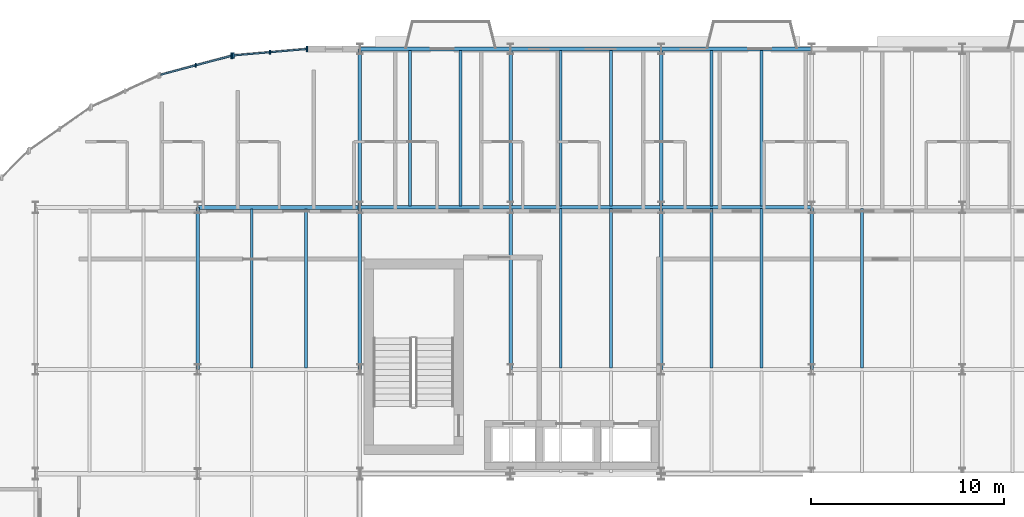
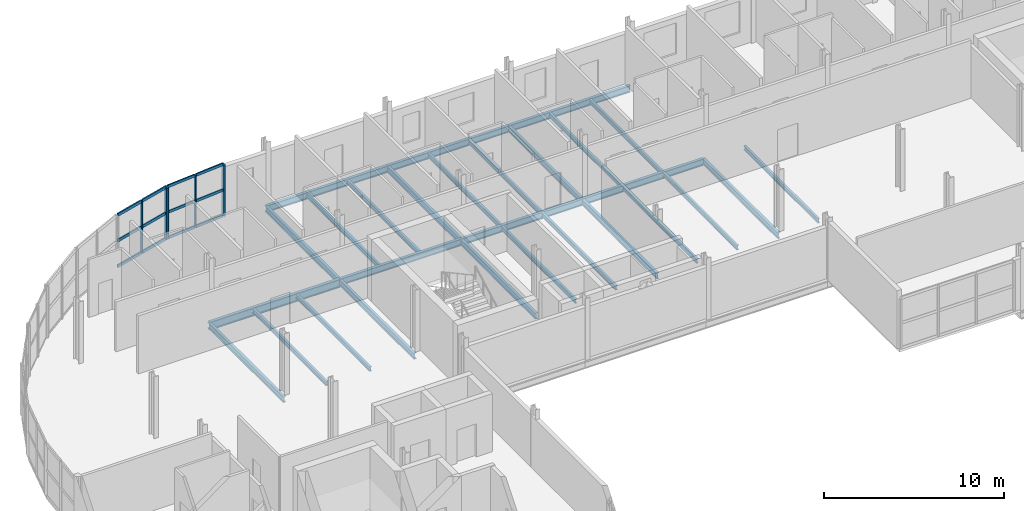
# One storey, part 16 of 45: 28 beams, 17 members, 2 elements without a shape of their own.
"""IFC4 building model written with IfcOpenShell, lengths in metres."""

from ifc_helpers import new_model, si_unit, direction, frame, origin, origin_2d, place, context, subcontext, project, spatial, rectangle, i_section, extrude, material, layer, layer_set, material_profile, profile_set, type_object, element, aggregate, save


model = new_model("IFC4")

# Units and contexts
model_context = context("Model", 3, precision=1e-05, world=origin(), true_north=direction((0.0, 1.0)))
body_context = subcontext(model_context, "Body", "Model", "MODEL_VIEW")
ifc_project = project(units=[si_unit("LENGTHUNIT", "METRE"), si_unit("AREAUNIT", "SQUARE_METRE"), si_unit("VOLUMEUNIT", "CUBIC_METRE"), si_unit("PLANEANGLEUNIT", "RADIAN"), si_unit("MASSUNIT", "GRAM", prefix="KILO")], contexts=[model_context])

# Site, building, storey
site_placement = place(None, origin())
site = spatial("IfcSite", under=ifc_project, at=site_placement, CompositionType="ELEMENT")
building_placement = place(site_placement, origin())
building = spatial("IfcBuilding", under=site, at=building_placement, Name="Sefraquen Railside Congress Hotel", CompositionType="ELEMENT")
storey_placement = place(building_placement, frame((0.0, 0.0, 20.39990234375)))
storey = spatial("IfcBuildingStorey", under=building, at=storey_placement, Name="L04", CompositionType="ELEMENT", Elevation=20.39990234375)

# Beams
ifc_material_1 = material(Name="Steel S355JR", Category="steel")
ifc_material_profile_1 = material_profile(ifc_material_1, i_section(OverallWidth=0.179931640625, OverallDepth=0.39990234375, WebThickness=0.008544921875, FlangeThickness=0.013427734375, FilletRadius=0.02099609375, at=origin_2d()), Name="IPE 400")
ifc_profile_set_1 = profile_set([ifc_material_profile_1], Name="Steel S355JR")
beam_type_1 = type_object("IfcBeamType", Name="TB-BM-400I", PredefinedType="BEAM", material=ifc_profile_set_1)
for number, where, z_axis, x_axis, name in (
    (1, (16.800048828125, 101.39990234375, -0.47998046875), (0.0, 1.0, 0.0), (-1.0, 0.0, 0.0), "Floor beam BM-L04-1355"),
    (2, (25.199951171875, 101.39990234375, -0.47998046875), (0.0, 1.0, 0.0), (-1.0, 0.0, 0.0), "Floor beam BM-L04-1361"),
):
    element("IfcBeam", number, at=place(storey_placement, frame(where, z_axis=z_axis, x_axis=x_axis)), inside=storey, type_object=beam_type_1, Name=name, PredefinedType="BEAM", context=body_context, shape_type="SweptSolid", body=[
        extrude(i_section(OverallWidth=0.179931640625, OverallDepth=0.39990234375, WebThickness=0.008544921875, FlangeThickness=0.013427734375, FilletRadius=0.02099609375, at=origin_2d()), origin(), (0.0, 0.0, 1.0), 8.400146484375),
    ])
beam_1_placement = place(storey_placement, frame((25.199951171875, 109.800048828125, -0.47998046875), z_axis=(0.0, 1.0, 0.0), x_axis=(-1.0, 0.0, 0.0)))
element("IfcBeam", 3, at=beam_1_placement, inside=storey, type_object=beam_type_1, Name="Floor beam BM-L04-1362", PredefinedType="BEAM", context=body_context, shape_type="SweptSolid", body=[
    extrude(i_section(OverallWidth=0.179931640625, OverallDepth=0.39990234375, WebThickness=0.008544921875, FlangeThickness=0.013427734375, FilletRadius=0.02099609375, at=origin_2d()), origin(), (0.0, 0.0, 1.0), 8.199951171875),
])
beam_2_placement = place(storey_placement, frame((33.0, 101.39990234375, -0.47998046875), z_axis=(0.0, 1.0, 0.0), x_axis=(-1.0, 0.0, 0.0)))
element("IfcBeam", 4, at=beam_2_placement, inside=storey, type_object=beam_type_1, Name="Floor beam BM-L04-1364", PredefinedType="BEAM", context=body_context, shape_type="SweptSolid", body=[
    extrude(i_section(OverallWidth=0.179931640625, OverallDepth=0.39990234375, WebThickness=0.008544921875, FlangeThickness=0.013427734375, FilletRadius=0.02099609375, at=origin_2d()), origin(), (0.0, 0.0, 1.0), 8.400146484375),
])
beam_3_placement = place(storey_placement, frame((33.0, 109.800048828125, -0.47998046875), z_axis=(0.0, 1.0, 0.0), x_axis=(-1.0, 0.0, 0.0)))
element("IfcBeam", 5, at=beam_3_placement, inside=storey, type_object=beam_type_1, Name="Floor beam BM-L04-1365", PredefinedType="BEAM", context=body_context, shape_type="SweptSolid", body=[
    extrude(i_section(OverallWidth=0.179931640625, OverallDepth=0.39990234375, WebThickness=0.008544921875, FlangeThickness=0.013427734375, FilletRadius=0.02099609375, at=origin_2d()), origin(), (0.0, 0.0, 1.0), 8.199951171875),
])
beam_4_placement = place(storey_placement, frame((40.800048828125, 101.39990234375, -0.47998046875), z_axis=(0.0, 1.0, 0.0), x_axis=(-1.0, 0.0, 0.0)))
element("IfcBeam", 6, at=beam_4_placement, inside=storey, type_object=beam_type_1, Name="Floor beam BM-L04-1367", PredefinedType="BEAM", context=body_context, shape_type="SweptSolid", body=[
    extrude(i_section(OverallWidth=0.179931640625, OverallDepth=0.39990234375, WebThickness=0.008544921875, FlangeThickness=0.013427734375, FilletRadius=0.02099609375, at=origin_2d()), origin(), (0.0, 0.0, 1.0), 8.400146484375),
])
beam_5_placement = place(storey_placement, frame((40.800048828125, 109.800048828125, -0.47998046875), z_axis=(0.0, 1.0, 0.0), x_axis=(-1.0, 0.0, 0.0)))
element("IfcBeam", 7, at=beam_5_placement, inside=storey, type_object=beam_type_1, Name="Floor beam BM-L04-1368", PredefinedType="BEAM", context=body_context, shape_type="SweptSolid", body=[
    extrude(i_section(OverallWidth=0.179931640625, OverallDepth=0.39990234375, WebThickness=0.008544921875, FlangeThickness=0.013427734375, FilletRadius=0.02099609375, at=origin_2d()), origin(), (0.0, 0.0, 1.0), 8.199951171875),
])
beam_6_placement = place(storey_placement, frame((48.60009765625, 101.39990234375, -0.47998046875), z_axis=(0.0, 1.0, 0.0), x_axis=(-1.0, 0.0, 0.0)))
element("IfcBeam", 8, at=beam_6_placement, inside=storey, type_object=beam_type_1, Name="Floor beam BM-L04-1370", PredefinedType="BEAM", context=body_context, shape_type="SweptSolid", body=[
    extrude(i_section(OverallWidth=0.179931640625, OverallDepth=0.39990234375, WebThickness=0.008544921875, FlangeThickness=0.013427734375, FilletRadius=0.02099609375, at=origin_2d()), origin(), (0.0, 0.0, 1.0), 8.400146484375),
])
ifc_material_profile_2 = material_profile(ifc_material_1, i_section(OverallWidth=0.18994140625, OverallDepth=0.449951171875, WebThickness=0.009521484375, FlangeThickness=0.0146484375, FilletRadius=0.02099609375, at=origin_2d()), Name="IPE 450")
ifc_profile_set_2 = profile_set([ifc_material_profile_2], Name="Steel S355JR")
beam_type_2 = type_object("IfcBeamType", Name="TB-BM-450", PredefinedType="BEAM", material=ifc_profile_set_2)
for number, where, z_axis, x_axis, name in (
    (9, (25.199951171875, 109.800048828125, -0.5048828125), (1.0, 0.0, 0.0), (0.0, 1.0, 0.0), "Primary girder BM-L04-1317"),
    (10, (33.0, 109.800048828125, -0.5048828125), (1.0, 0.0, 0.0), (0.0, 1.0, 0.0), "Primary girder BM-L04-1318"),
    (11, (40.800048828125, 109.800048828125, -0.5048828125), (1.0, 0.0, 0.0), (0.0, 1.0, 0.0), "Primary girder BM-L04-1319"),
    (12, (25.199951171875, 118.0, -0.5048828125), (1.0, 0.0, 0.0), (0.0, 1.0, 0.0), "Primary girder BM-L04-1329"),
    (13, (33.0, 118.0, -0.5048828125), (1.0, 0.0, 0.0), (0.0, 1.0, 0.0), "Primary girder BM-L04-1330"),
    (14, (40.800048828125, 118.0, -0.5048828125), (1.0, 0.0, 0.0), (0.0, 1.0, 0.0), "Primary girder BM-L04-1331"),
):
    element("IfcBeam", number, at=place(storey_placement, frame(where, z_axis=z_axis, x_axis=x_axis)), inside=storey, type_object=beam_type_2, Name=name, PredefinedType="BEAM", context=body_context, shape_type="SweptSolid", body=[
        extrude(i_section(OverallWidth=0.18994140625, OverallDepth=0.449951171875, WebThickness=0.009521484375, FlangeThickness=0.0146484375, FilletRadius=0.02099609375, at=origin_2d()), origin(), (0.0, 0.0, 1.0), 7.800048828125),
    ])
ifc_material_profile_3 = material_profile(ifc_material_1, i_section(OverallWidth=0.2099609375, OverallDepth=0.550048828125, WebThickness=0.010986328125, FlangeThickness=0.01708984375, FilletRadius=0.02392578125, at=origin_2d()), Name="IPE 550")
ifc_profile_set_3 = profile_set([ifc_material_profile_3], Name="Steel S355JR")
beam_type_3 = type_object("IfcBeamType", Name="TB-GIR-550", PredefinedType="T_BEAM", material=ifc_profile_set_3)
beam_7_placement = place(storey_placement, frame((16.800048828125, 109.800048828125, -0.554931640625), z_axis=(1.0, 0.0, 0.0), x_axis=(0.0, 1.0, 0.0)))
element("IfcBeam", 15, at=beam_7_placement, inside=storey, type_object=beam_type_3, Name="Primary girder BM-L04-1316", PredefinedType="T_BEAM", context=body_context, shape_type="SweptSolid", body=[
    extrude(i_section(OverallWidth=0.2099609375, OverallDepth=0.550048828125, WebThickness=0.010986328125, FlangeThickness=0.01708984375, FilletRadius=0.02392578125, at=origin_2d()), origin(), (0.0, 0.0, 1.0), 8.39990234375),
])
ifc_material_profile_4 = material_profile(ifc_material_1, i_section(OverallWidth=0.14990234375, OverallDepth=0.300048828125, WebThickness=0.007080078125, FlangeThickness=0.0107421875, FilletRadius=0.014892578125, at=origin_2d()), Name="IPE 300")
ifc_profile_set_4 = profile_set([ifc_material_profile_4], Name="Steel S355JR")
beam_type_4 = type_object("IfcBeamType", Name="TB-JST-300", PredefinedType="JOIST", material=ifc_profile_set_4)
for number, where, z_axis, x_axis, name in (
    (16, (19.60009765625, 101.485107421875, -0.429931640625), (0.0, 1.0, 0.0), (-1.0, 0.0, 0.0), "Composite floor joist BM-L04-J0846"),
    (17, (22.39990234375, 101.485107421875, -0.429931640625), (0.0, 1.0, 0.0), (-1.0, 0.0, 0.0), "Composite floor joist BM-L04-J0847"),
):
    element("IfcBeam", number, at=place(storey_placement, frame(where, z_axis=z_axis, x_axis=x_axis)), inside=storey, type_object=beam_type_4, Name=name, PredefinedType="JOIST", context=body_context, shape_type="SweptSolid", body=[
        extrude(i_section(OverallWidth=0.14990234375, OverallDepth=0.300048828125, WebThickness=0.007080078125, FlangeThickness=0.0107421875, FilletRadius=0.014892578125, at=origin_2d()), origin(), (0.0, 0.0, 1.0), 8.22998046875),
    ])
for number, where, z_axis, x_axis, name in (
    (18, (27.800048828125, 109.875, -0.429931640625), (0.0, 1.0, 0.0), (-1.0, 0.0, 0.0), "Composite floor joist BM-L04-J0848"),
    (19, (30.39990234375, 109.875, -0.429931640625), (0.0, 1.0, 0.0), (-1.0, 0.0, 0.0), "Composite floor joist BM-L04-J0849"),
):
    element("IfcBeam", number, at=place(storey_placement, frame(where, z_axis=z_axis, x_axis=x_axis)), inside=storey, type_object=beam_type_4, Name=name, PredefinedType="JOIST", context=body_context, shape_type="SweptSolid", body=[
        extrude(i_section(OverallWidth=0.14990234375, OverallDepth=0.300048828125, WebThickness=0.007080078125, FlangeThickness=0.0107421875, FilletRadius=0.014892578125, at=origin_2d()), origin(), (0.0, 0.0, 1.0), 8.050048828125),
    ])
for number, where, z_axis, x_axis, name in (
    (20, (35.60009765625, 101.47509765625, -0.429931640625), (0.0, 1.0, 0.0), (-1.0, 0.0, 0.0), "Composite floor joist BM-L04-J0852"),
    (21, (38.199951171875, 101.47509765625, -0.429931640625), (0.0, 1.0, 0.0), (-1.0, 0.0, 0.0), "Composite floor joist BM-L04-J0853"),
):
    element("IfcBeam", number, at=place(storey_placement, frame(where, z_axis=z_axis, x_axis=x_axis)), inside=storey, type_object=beam_type_4, Name=name, PredefinedType="JOIST", context=body_context, shape_type="SweptSolid", body=[
        extrude(i_section(OverallWidth=0.14990234375, OverallDepth=0.300048828125, WebThickness=0.007080078125, FlangeThickness=0.0107421875, FilletRadius=0.014892578125, at=origin_2d()), origin(), (0.0, 0.0, 1.0), 8.25),
    ])
for number, where, z_axis, x_axis, name in (
    (22, (35.60009765625, 109.875, -0.429931640625), (0.0, 1.0, 0.0), (-1.0, 0.0, 0.0), "Composite floor joist BM-L04-J0854"),
    (23, (38.199951171875, 109.875, -0.429931640625), (0.0, 1.0, 0.0), (-1.0, 0.0, 0.0), "Composite floor joist BM-L04-J0855"),
):
    element("IfcBeam", number, at=place(storey_placement, frame(where, z_axis=z_axis, x_axis=x_axis)), inside=storey, type_object=beam_type_4, Name=name, PredefinedType="JOIST", context=body_context, shape_type="SweptSolid", body=[
        extrude(i_section(OverallWidth=0.14990234375, OverallDepth=0.300048828125, WebThickness=0.007080078125, FlangeThickness=0.0107421875, FilletRadius=0.014892578125, at=origin_2d()), origin(), (0.0, 0.0, 1.0), 8.050048828125),
    ])
for number, where, z_axis, x_axis, name in (
    (24, (43.39990234375, 101.47509765625, -0.429931640625), (0.0, 1.0, 0.0), (-1.0, 0.0, 0.0), "Composite floor joist BM-L04-J0858"),
    (25, (46.0, 101.47509765625, -0.429931640625), (0.0, 1.0, 0.0), (-1.0, 0.0, 0.0), "Composite floor joist BM-L04-J0859"),
):
    element("IfcBeam", number, at=place(storey_placement, frame(where, z_axis=z_axis, x_axis=x_axis)), inside=storey, type_object=beam_type_4, Name=name, PredefinedType="JOIST", context=body_context, shape_type="SweptSolid", body=[
        extrude(i_section(OverallWidth=0.14990234375, OverallDepth=0.300048828125, WebThickness=0.007080078125, FlangeThickness=0.0107421875, FilletRadius=0.014892578125, at=origin_2d()), origin(), (0.0, 0.0, 1.0), 8.25),
    ])
for number, where, z_axis, x_axis, name in (
    (26, (43.39990234375, 109.875, -0.429931640625), (0.0, 1.0, 0.0), (-1.0, 0.0, 0.0), "Composite floor joist BM-L04-J0860"),
    (27, (46.0, 109.875, -0.429931640625), (0.0, 1.0, 0.0), (-1.0, 0.0, 0.0), "Composite floor joist BM-L04-J0861"),
):
    element("IfcBeam", number, at=place(storey_placement, frame(where, z_axis=z_axis, x_axis=x_axis)), inside=storey, type_object=beam_type_4, Name=name, PredefinedType="JOIST", context=body_context, shape_type="SweptSolid", body=[
        extrude(i_section(OverallWidth=0.14990234375, OverallDepth=0.300048828125, WebThickness=0.007080078125, FlangeThickness=0.0107421875, FilletRadius=0.014892578125, at=origin_2d()), origin(), (0.0, 0.0, 1.0), 8.050048828125),
    ])
beam_8_placement = place(storey_placement, frame((51.199951171875, 101.47509765625, -0.429931640625), z_axis=(0.0, 1.0, 0.0), x_axis=(-1.0, 0.0, 0.0)))
element("IfcBeam", 28, at=beam_8_placement, inside=storey, type_object=beam_type_4, Name="Composite floor joist BM-L04-J0864", PredefinedType="JOIST", context=body_context, shape_type="SweptSolid", body=[
    extrude(i_section(OverallWidth=0.14990234375, OverallDepth=0.300048828125, WebThickness=0.007080078125, FlangeThickness=0.0107421875, FilletRadius=0.014892578125, at=origin_2d()), origin(), (0.0, 0.0, 1.0), 8.25),
])

# Curtain wall, member
ifc_material_2 = material(Name="Thermally broken anodised aluminium and low-E double glazing", Category="aluminium")
ifc_layer_1 = layer(ifc_material_2, 0.199951171875)
ifc_layer_set_1 = layer_set([ifc_layer_1], Name="Thermally broken anodised aluminium and low-E double glazing")
curtain_wall_type_1 = type_object("IfcCurtainWallType", Name="TCW-UCW-05", PredefinedType="USERDEFINED", material=ifc_layer_set_1)
curtain_wall_1_placement = place(storey_placement, origin())
curtain_wall_1 = element("IfcCurtainWall", 29, at=curtain_wall_1_placement, inside=storey, type_object=curtain_wall_type_1, Name="Rotunda L04 curved curtain wall facet 1", ObjectType="UNITISED CURTAIN WALL", PredefinedType="USERDEFINED")
ifc_material_3 = material(Name="Thermally broken anodised aluminium 6063-T6", Category="aluminium")
ifc_material_profile_5 = material_profile(ifc_material_3, rectangle(XDim=0.070068359375, YDim=0.199951171875, at=origin_2d()), Name="CWM 70x200")
ifc_profile_set_5 = profile_set([ifc_material_profile_5], Name="Thermally broken anodised aluminium 6063-T6")
member_type_1 = type_object("IfcMemberType", Name="TM-CWM-03", PredefinedType="MULLION", material=ifc_profile_set_5)
member_1_placement = place(storey_placement, frame((20.54638671875, 117.8291015625, 0.0), z_axis=(0.0, 0.0, 1.0), x_axis=(1.0, 0.0, 0.0)))
member_1 = element("IfcMember", 30, at=member_1_placement, type_object=member_type_1, Name="CW-L04-ROT-01 mullion 2", PredefinedType="MULLION", context=body_context, shape_type="SweptSolid", body=[
    extrude(rectangle(XDim=0.070068359375, YDim=0.199951171875, at=origin_2d()), origin(), (0.0, 0.0, 1.0), 3.489990234375),
])

ifc_layer_2 = layer(ifc_material_2, 0.199951171875)
ifc_layer_set_2 = layer_set([ifc_layer_2], Name="Thermally broken anodised aluminium and low-E double glazing")
curtain_wall_type_2 = type_object("IfcCurtainWallType", Name="TCW-UCW-06", PredefinedType="USERDEFINED", material=ifc_layer_set_2)
curtain_wall_2_placement = place(storey_placement, origin())
curtain_wall_2 = element("IfcCurtainWall", 31, at=curtain_wall_2_placement, inside=storey, type_object=curtain_wall_type_2, Name="Rotunda L04 curved curtain wall facet 2", ObjectType="UNITISED CURTAIN WALL", PredefinedType="USERDEFINED")
ifc_material_profile_6 = material_profile(ifc_material_3, rectangle(XDim=0.074951171875, YDim=0.219970703125, at=origin_2d()), Name="CWM 75x220")
ifc_profile_set_6 = profile_set([ifc_material_profile_6], Name="Thermally broken anodised aluminium 6063-T6")
member_type_2 = type_object("IfcMemberType", Name="TM-CWM-04", PredefinedType="MULLION", material=ifc_profile_set_6)
member_2_placement = place(storey_placement, frame((16.69873046875, 117.150634765625, 0.0), z_axis=(0.0, 0.0, 1.0), x_axis=(1.0, 0.0, 0.0)))
member_2 = element("IfcMember", 32, at=member_2_placement, type_object=member_type_2, Name="CW-L04-ROT-02 mullion 2", PredefinedType="MULLION", context=body_context, shape_type="SweptSolid", body=[
    extrude(rectangle(XDim=0.074951171875, YDim=0.219970703125, at=origin_2d()), origin(), (0.0, 0.0, 1.0), 3.489990234375),
])

# Member
ifc_material_profile_7 = material_profile(ifc_material_3, rectangle(XDim=0.094970703125, YDim=0.300048828125, at=origin_2d()), Name="CWM 95x300")
ifc_profile_set_7 = profile_set([ifc_material_profile_7], Name="Thermally broken anodised aluminium 6063-T6")
member_type_3 = type_object("IfcMemberType", Name="TM-CWM-08", PredefinedType="MULLION", material=ifc_profile_set_7)
member_3_placement = place(storey_placement, frame((22.460205078125, 117.99658203125, 0.0), z_axis=(0.0, 0.0, 1.0), x_axis=(1.0, 0.0, 0.0)))
member_3 = element("IfcMember", 33, at=member_3_placement, type_object=member_type_3, Name="CW-L04-ROT-01 mullion 1", PredefinedType="MULLION", context=body_context, shape_type="SweptSolid", body=[
    extrude(rectangle(XDim=0.094970703125, YDim=0.300048828125, at=origin_2d()), origin(), (0.0, 0.0, 1.0), 3.489990234375),
])

member_4_placement = place(storey_placement, frame((18.6328125, 117.66162109375, 0.0), z_axis=(0.0, 0.0, 1.0), x_axis=(1.0, 0.0, 0.0)))
member_4 = element("IfcMember", 34, at=member_4_placement, type_object=member_type_3, Name="CW-L04-ROT-01 mullion 3", PredefinedType="MULLION", context=body_context, shape_type="SweptSolid", body=[
    extrude(rectangle(XDim=0.094970703125, YDim=0.300048828125, at=origin_2d()), origin(), (0.0, 0.0, 1.0), 3.489990234375),
])

member_5_placement = place(storey_placement, frame((18.55419921875, 117.647705078125, 0.0), z_axis=(0.0, 0.0, 1.0), x_axis=(1.0, 0.0, 0.0)))
member_5 = element("IfcMember", 35, at=member_5_placement, type_object=member_type_3, Name="CW-L04-ROT-02 mullion 1", PredefinedType="MULLION", context=body_context, shape_type="SweptSolid", body=[
    extrude(rectangle(XDim=0.094970703125, YDim=0.300048828125, at=origin_2d()), origin(), (0.0, 0.0, 1.0), 3.489990234375),
])

ifc_material_profile_8 = material_profile(ifc_material_3, rectangle(XDim=0.080078125, YDim=0.179931640625, at=origin_2d()), Name="CWT 80x180")
ifc_profile_set_8 = profile_set([ifc_material_profile_8], Name="Thermally broken anodised aluminium 6063-T6")
member_type_4 = type_object("IfcMemberType", Name="TM-CWT-05", PredefinedType="USERDEFINED", material=ifc_profile_set_8)
member_6_placement = place(storey_placement, frame((22.415283203125, 117.99267578125, 0.0), z_axis=(-0.996190387898, -0.08720499447, 0.0), x_axis=(0.08720499447, -0.996190387898, 0.0)))
member_6 = element("IfcMember", 36, at=member_6_placement, type_object=member_type_4, Name="CW-L04-ROT-01 transom 1.1", ObjectType="TRANSOM", PredefinedType="USERDEFINED", context=body_context, shape_type="SweptSolid", body=[
    extrude(rectangle(XDim=0.080078125, YDim=0.179931640625, at=origin_2d()), origin(), (0.0, 0.0, 1.0), 1.8310546875),
])

member_7_placement = place(storey_placement, frame((20.501708984375, 117.8251953125, 0.0), z_axis=(-0.996191401715, -0.087193412302, 0.0), x_axis=(0.087193412302, -0.996191401715, 0.0)))
member_7 = element("IfcMember", 37, at=member_7_placement, type_object=member_type_4, Name="CW-L04-ROT-01 transom 1.2", ObjectType="TRANSOM", PredefinedType="USERDEFINED", context=body_context, shape_type="SweptSolid", body=[
    extrude(rectangle(XDim=0.080078125, YDim=0.179931640625, at=origin_2d()), origin(), (0.0, 0.0, 1.0), 1.831298828125),
])

member_8_placement = place(storey_placement, frame((22.415283203125, 117.99267578125, 1.7451171875), z_axis=(-0.996190387898, -0.08720499447, 0.0), x_axis=(0.08720499447, -0.996190387898, 0.0)))
member_8 = element("IfcMember", 38, at=member_8_placement, type_object=member_type_4, Name="CW-L04-ROT-01 transom 2.1", ObjectType="TRANSOM", PredefinedType="USERDEFINED", context=body_context, shape_type="SweptSolid", body=[
    extrude(rectangle(XDim=0.080078125, YDim=0.179931640625, at=origin_2d()), origin(), (0.0, 0.0, 1.0), 1.8310546875),
])

member_9_placement = place(storey_placement, frame((20.501708984375, 117.8251953125, 1.7451171875), z_axis=(-0.996191401715, -0.087193412302, 0.0), x_axis=(0.087193412302, -0.996191401715, 0.0)))
member_9 = element("IfcMember", 39, at=member_9_placement, type_object=member_type_4, Name="CW-L04-ROT-01 transom 2.2", ObjectType="TRANSOM", PredefinedType="USERDEFINED", context=body_context, shape_type="SweptSolid", body=[
    extrude(rectangle(XDim=0.080078125, YDim=0.179931640625, at=origin_2d()), origin(), (0.0, 0.0, 1.0), 1.831298828125),
])

member_10_placement = place(storey_placement, frame((22.415283203125, 117.99267578125, 3.489990234375), z_axis=(-0.996190387898, -0.08720499447, 0.0), x_axis=(0.08720499447, -0.996190387898, 0.0)))
member_10 = element("IfcMember", 40, at=member_10_placement, type_object=member_type_4, Name="CW-L04-ROT-01 transom 3.1", ObjectType="TRANSOM", PredefinedType="USERDEFINED", context=body_context, shape_type="SweptSolid", body=[
    extrude(rectangle(XDim=0.080078125, YDim=0.179931640625, at=origin_2d()), origin(), (0.0, 0.0, 1.0), 1.8310546875),
])

member_11_placement = place(storey_placement, frame((20.501708984375, 117.8251953125, 3.489990234375), z_axis=(-0.996191401715, -0.087193412302, 0.0), x_axis=(0.087193412302, -0.996191401715, 0.0)))
member_11 = element("IfcMember", 41, at=member_11_placement, type_object=member_type_4, Name="CW-L04-ROT-01 transom 3.2", ObjectType="TRANSOM", PredefinedType="USERDEFINED", context=body_context, shape_type="SweptSolid", body=[
    extrude(rectangle(XDim=0.080078125, YDim=0.179931640625, at=origin_2d()), origin(), (0.0, 0.0, 1.0), 1.831298828125),
])

aggregate(curtain_wall_1, [member_3, member_1, member_4, member_6, member_7, member_8, member_9, member_10, member_11])

ifc_material_profile_9 = material_profile(ifc_material_3, rectangle(XDim=0.0849609375, YDim=0.195068359375, at=origin_2d()), Name="CWT 85x195")
ifc_profile_set_9 = profile_set([ifc_material_profile_9], Name="Thermally broken anodised aluminium 6063-T6")
member_type_5 = type_object("IfcMemberType", Name="TM-CWT-06", PredefinedType="USERDEFINED", material=ifc_profile_set_9)
member_12_placement = place(storey_placement, frame((18.5107421875, 117.63623046875, 0.0), z_axis=(-0.965893282759, -0.25894046868, 0.0), x_axis=(0.25894046868, -0.965893282759, 0.0)))
member_12 = element("IfcMember", 42, at=member_12_placement, type_object=member_type_5, Name="CW-L04-ROT-02 transom 1.1", ObjectType="TRANSOM", PredefinedType="USERDEFINED", context=body_context, shape_type="SweptSolid", body=[
    extrude(rectangle(XDim=0.0849609375, YDim=0.195068359375, at=origin_2d()), origin(), (0.0, 0.0, 1.0), 1.8310546875),
])

member_13_placement = place(storey_placement, frame((16.6552734375, 117.138916015625, 0.0), z_axis=(-0.965926624666, -0.258816065499, 0.0), x_axis=(0.258816065499, -0.965926624666, 0.0)))
member_13 = element("IfcMember", 43, at=member_13_placement, type_object=member_type_5, Name="CW-L04-ROT-02 transom 1.2", ObjectType="TRANSOM", PredefinedType="USERDEFINED", context=body_context, shape_type="SweptSolid", body=[
    extrude(rectangle(XDim=0.0849609375, YDim=0.195068359375, at=origin_2d()), origin(), (0.0, 0.0, 1.0), 1.8310546875),
])

member_14_placement = place(storey_placement, frame((18.5107421875, 117.63623046875, 1.7451171875), z_axis=(-0.965893282759, -0.25894046868, 0.0), x_axis=(0.25894046868, -0.965893282759, 0.0)))
member_14 = element("IfcMember", 44, at=member_14_placement, type_object=member_type_5, Name="CW-L04-ROT-02 transom 2.1", ObjectType="TRANSOM", PredefinedType="USERDEFINED", context=body_context, shape_type="SweptSolid", body=[
    extrude(rectangle(XDim=0.0849609375, YDim=0.195068359375, at=origin_2d()), origin(), (0.0, 0.0, 1.0), 1.8310546875),
])

member_15_placement = place(storey_placement, frame((16.6552734375, 117.138916015625, 1.7451171875), z_axis=(-0.965926624666, -0.258816065499, 0.0), x_axis=(0.258816065499, -0.965926624666, 0.0)))
member_15 = element("IfcMember", 45, at=member_15_placement, type_object=member_type_5, Name="CW-L04-ROT-02 transom 2.2", ObjectType="TRANSOM", PredefinedType="USERDEFINED", context=body_context, shape_type="SweptSolid", body=[
    extrude(rectangle(XDim=0.0849609375, YDim=0.195068359375, at=origin_2d()), origin(), (0.0, 0.0, 1.0), 1.8310546875),
])

member_16_placement = place(storey_placement, frame((18.5107421875, 117.63623046875, 3.489990234375), z_axis=(-0.965893282759, -0.25894046868, 0.0), x_axis=(0.25894046868, -0.965893282759, 0.0)))
member_16 = element("IfcMember", 46, at=member_16_placement, type_object=member_type_5, Name="CW-L04-ROT-02 transom 3.1", ObjectType="TRANSOM", PredefinedType="USERDEFINED", context=body_context, shape_type="SweptSolid", body=[
    extrude(rectangle(XDim=0.0849609375, YDim=0.195068359375, at=origin_2d()), origin(), (0.0, 0.0, 1.0), 1.8310546875),
])

member_17_placement = place(storey_placement, frame((16.6552734375, 117.138916015625, 3.489990234375), z_axis=(-0.965926624666, -0.258816065499, 0.0), x_axis=(0.258816065499, -0.965926624666, 0.0)))
member_17 = element("IfcMember", 47, at=member_17_placement, type_object=member_type_5, Name="CW-L04-ROT-02 transom 3.2", ObjectType="TRANSOM", PredefinedType="USERDEFINED", context=body_context, shape_type="SweptSolid", body=[
    extrude(rectangle(XDim=0.0849609375, YDim=0.195068359375, at=origin_2d()), origin(), (0.0, 0.0, 1.0), 1.8310546875),
])

aggregate(curtain_wall_2, [member_5, member_2, member_12, member_13, member_14, member_15, member_16, member_17])

save(model, "model.ifc")
